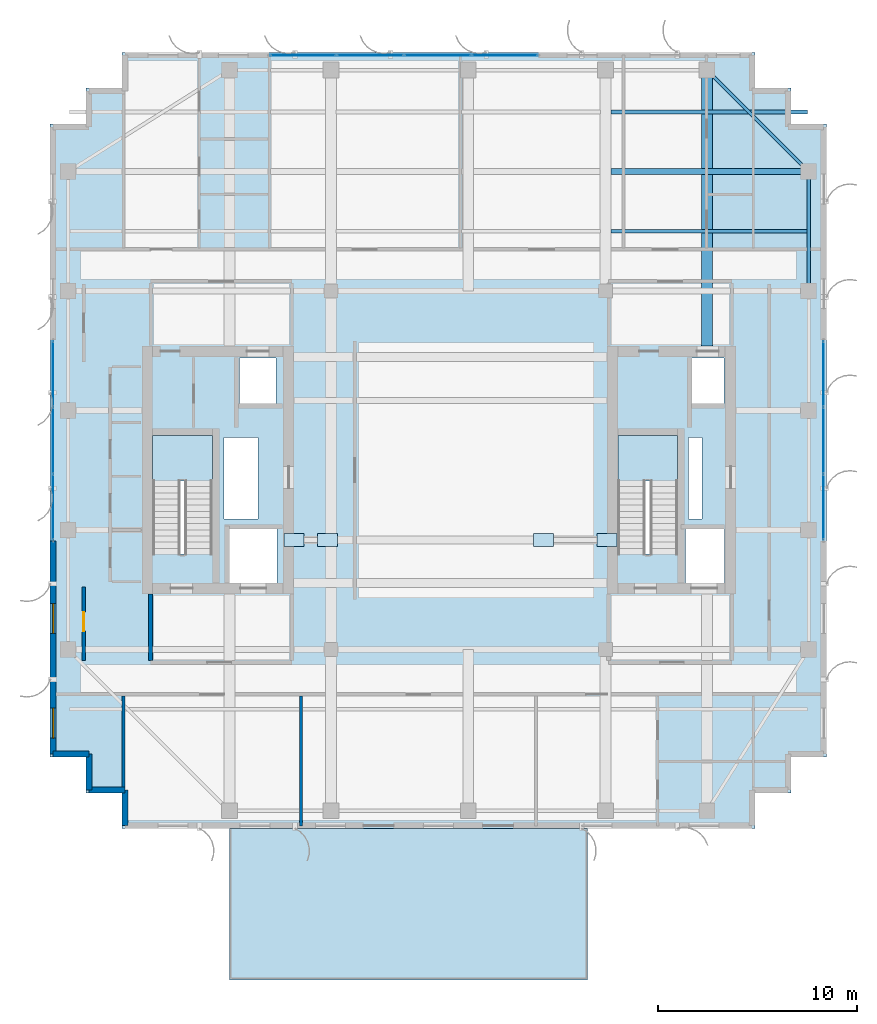
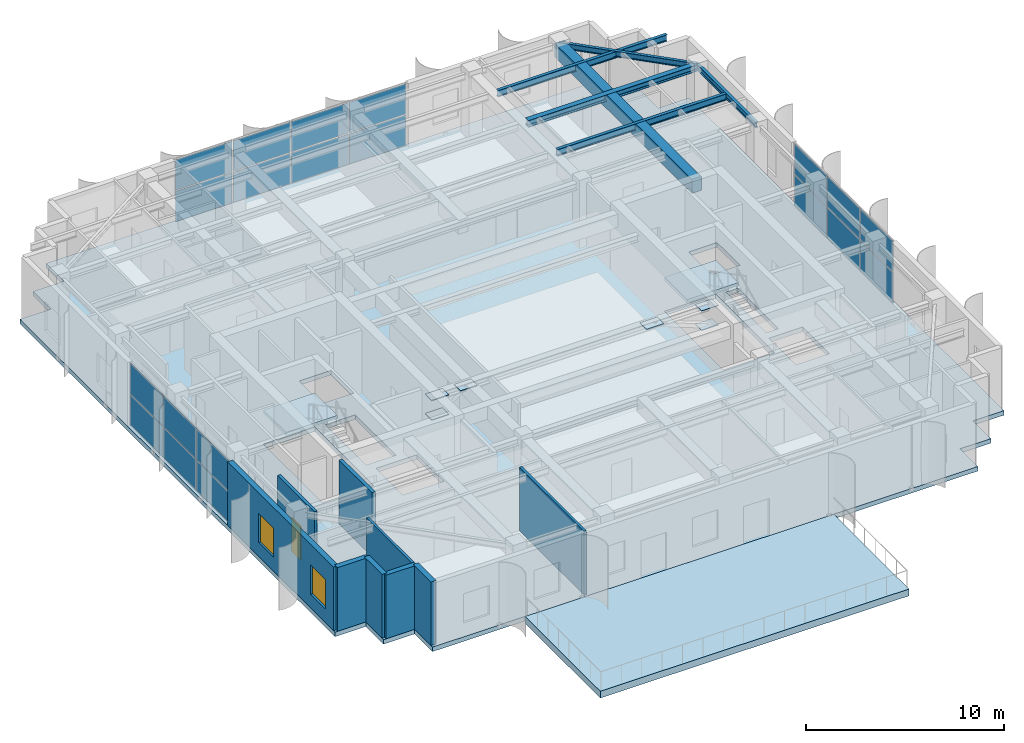
# One storey, part 12 of 19: 26 plates, 9 walls, 6 beams, 4 slabs, 2 windows, 1 door, 3 openings, 5 elements without a shape of their own.
"""IFC4 building model written with IfcOpenShell, lengths in metres."""

from ifc_helpers import new_model, si_unit, direction, frame, frame_2d, origin, origin_2d, place, context, subcontext, project, spatial, polyline, rectangle, i_section, outline, extrude, source, transform, mapped, material, layer, layer_set, material_profile, profile_set, type_object, element, fill, aggregate, save


model = new_model("IFC4")

# Units and contexts
model_context = context("Model", 3, precision=1e-05, world=origin(), true_north=direction((0.0, 1.0)))
body_context = subcontext(model_context, "Body", "Model", "MODEL_VIEW")
ifc_project = project(units=[si_unit("LENGTHUNIT", "METRE"), si_unit("AREAUNIT", "SQUARE_METRE"), si_unit("VOLUMEUNIT", "CUBIC_METRE"), si_unit("PLANEANGLEUNIT", "RADIAN"), si_unit("MASSUNIT", "GRAM", prefix="KILO")], contexts=[model_context])

# Site, building, storey
site_placement = place(None, origin())
site = spatial("IfcSite", under=ifc_project, at=site_placement, CompositionType="ELEMENT")
building_placement = place(site_placement, origin())
building = spatial("IfcBuilding", under=site, at=building_placement, Name="Khoralis Quay Care Tower", CompositionType="ELEMENT")
storey_placement = place(building_placement, frame((0.0, 0.0, 285.300048828125)))
storey = spatial("IfcBuildingStorey", under=building, at=storey_placement, Name="L75", CompositionType="ELEMENT", Elevation=285.300048828125)

# Beams
ifc_material_1 = material(Name="Steel S355", Category="steel")
ifc_material_profile_1 = material_profile(ifc_material_1, i_section(OverallWidth=0.169921875, OverallDepth=0.360107421875, WebThickness=0.008056640625, FlangeThickness=0.0126953125, FilletRadius=0.01806640625, at=origin_2d()), Name="Steel S355")
ifc_profile_set_1 = profile_set([ifc_material_profile_1], Name="Steel S355")
beam_type_1 = type_object("IfcBeamType", Name="BM-IPE360", PredefinedType="SPANDREL", material=ifc_profile_set_1)
shared_shape_1 = source(origin(), body_context, "Body", "SweptSolid", [
    extrude(i_section(OverallWidth=0.169921875, OverallDepth=0.360107421875, WebThickness=0.008056640625, FlangeThickness=0.0126953125, FilletRadius=0.01806640625, at=origin_2d()), origin(), (0.0, 0.0, 1.0), 6.0),
])
beam_1_placement = place(storey_placement, frame((41.10009765625, 30.0, 3.739990234375), z_axis=(0.0, 1.0, 0.0), x_axis=(-1.0, 0.0, 0.0)))
element("IfcBeam", 1, at=beam_1_placement, inside=storey, type_object=beam_type_1, Name="BM-TSP-L75-16", PredefinedType="SPANDREL", context=body_context, shape_type="MappedRepresentation", body=[
    mapped(shared_shape_1, transform((0.0, 0.0, 0.0), scale=1.0)),
])
shared_shape_2 = source(origin(), body_context, "Body", "SweptSolid", [
    extrude(i_section(OverallWidth=0.169921875, OverallDepth=0.360107421875, WebThickness=0.008056640625, FlangeThickness=0.0126953125, FilletRadius=0.01806640625, at=origin_2d()), origin(), (0.0, 0.0, 1.0), 7.212646484375),
])
beam_2_placement = place(storey_placement, frame((36.0, 41.10009765625, 3.739990234375), z_axis=(0.707106781187, -0.707106781187, 0.0), x_axis=(0.707106781187, 0.707106781187, 0.0)))
element("IfcBeam", 2, at=beam_2_placement, inside=storey, type_object=beam_type_1, Name="BM-TCR-L75-20", PredefinedType="SPANDREL", context=body_context, shape_type="MappedRepresentation", body=[
    mapped(shared_shape_2, transform((0.0, 0.0, 0.0), scale=1.0)),
])
ifc_material_profile_2 = material_profile(ifc_material_1, i_section(OverallWidth=0.300048828125, OverallDepth=0.39990234375, WebThickness=0.013427734375, FlangeThickness=0.02392578125, FilletRadius=0.027099609375, at=origin_2d()), Name="Steel S355")
ifc_profile_set_2 = profile_set([ifc_material_profile_2], Name="Steel S355")
beam_type_2 = type_object("IfcBeamType", Name="BM-HEB400", PredefinedType="BEAM", material=ifc_profile_set_2)
shared_shape_3 = source(origin(), body_context, "Body", "SweptSolid", [
    extrude(i_section(OverallWidth=0.300048828125, OverallDepth=0.39990234375, WebThickness=0.013427734375, FlangeThickness=0.02392578125, FilletRadius=0.027099609375, at=origin_2d()), origin(), (0.0, 0.0, 1.0), 9.93701171875),
])
beam_3_placement = place(storey_placement, frame((31.1630859375, 36.0, 3.719970703125), z_axis=(1.0, 0.0, 0.0), x_axis=(0.0, 1.0, 0.0)))
element("IfcBeam", 3, at=beam_3_placement, inside=storey, type_object=beam_type_2, Name="BM-TGXE-L75-360", PredefinedType="BEAM", context=body_context, shape_type="MappedRepresentation", body=[
    mapped(shared_shape_3, transform((0.0, 0.0, 0.0), scale=1.0)),
])
ifc_material_2 = material(Name="Concrete C50/60", Category="concrete")
ifc_material_profile_3 = material_profile(ifc_material_2, rectangle(XDim=0.550048828125, YDim=0.85009765625, at=origin_2d()), Name="Concrete C50/60")
ifc_profile_set_3 = profile_set([ifc_material_profile_3], Name="Concrete C50/60")
beam_type_3 = type_object("IfcBeamType", Name="BM-RC550X850", PredefinedType="BEAM", material=ifc_profile_set_3)
shared_shape_4 = source(origin(), body_context, "Body", "SweptSolid", [
    extrude(rectangle(XDim=0.550048828125, YDim=0.85009765625, at=origin_2d()), origin(), (0.0, 0.0, 1.0), 13.85205078125),
])
beam_4_placement = place(storey_placement, frame((36.0, 27.248046875, 3.494873046875), z_axis=(0.0, 1.0, 0.0), x_axis=(-1.0, 0.0, 0.0)))
element("IfcBeam", 4, at=beam_4_placement, inside=storey, type_object=beam_type_3, Name="BM-TGYN-L75-360", PredefinedType="BEAM", context=body_context, shape_type="MappedRepresentation", body=[
    mapped(shared_shape_4, transform((0.0, 0.0, 0.0), scale=1.0)),
])
ifc_material_profile_4 = material_profile(ifc_material_1, i_section(OverallWidth=0.177978515625, OverallDepth=0.406982421875, WebThickness=0.0078125, FlangeThickness=0.0126953125, FilletRadius=0.012939453125, at=origin_2d()), Name="Steel S355")
ifc_profile_set_4 = profile_set([ifc_material_profile_4], Name="Steel S355")
beam_type_4 = type_object("IfcBeamType", Name="BM-W410X60", PredefinedType="JOIST", material=ifc_profile_set_4)
shared_shape_5 = source(origin(), body_context, "Body", "SweptSolid", [
    extrude(i_section(OverallWidth=0.177978515625, OverallDepth=0.406982421875, WebThickness=0.0078125, FlangeThickness=0.0126953125, FilletRadius=0.012939453125, at=origin_2d()), origin(), (0.0, 0.0, 1.0), 9.865966796875),
])
for number, where, z_axis, x_axis, name in (
    (5, (31.1630859375, 33.0, 3.716552734375), (1.0, 0.0, 0.0), (0.0, 1.0, 0.0), "BM-TJS-L75-25"),
    (6, (31.1630859375, 39.0, 3.716552734375), (1.0, 0.0, 0.0), (0.0, 1.0, 0.0), "BM-TJS-L75-28"),
):
    element("IfcBeam", number, at=place(storey_placement, frame(where, z_axis=z_axis, x_axis=x_axis)), inside=storey, type_object=beam_type_4, Name=name, PredefinedType="JOIST", context=body_context, shape_type="MappedRepresentation", body=[
        mapped(shared_shape_5, transform((0.0, 0.0, 0.0), scale=1.0)),
    ])

# Slab
ifc_layer_1 = layer(ifc_material_2, 0.419921875)
ifc_layer_set_1 = layer_set([ifc_layer_1], Name="Concrete C50/60")
slab_type_1 = type_object("IfcSlabType", Name="SLB-EXT-POOL-420", PredefinedType="FLOOR", material=ifc_layer_set_1)
slab_1_placement = place(storey_placement, frame((0.0, 0.0, -0.420166015625)))
element("IfcSlab", 7, at=slab_1_placement, inside=storey, type_object=slab_type_1, Name="Cantilevered Sky Pool Deck Slab S-SP1", PredefinedType="FLOOR", context=body_context, shape_type="SweptSolid", body=[
    extrude(outline(polyline([(12.0, -4.60009765625), (30.0, -4.60009765625), (30.0, 3.0), (12.0, 3.0), (12.0, -4.60009765625)])), origin(), (0.0, 0.0, 1.0), 0.420166015625),
])

# Stair, slab
ifc_material_3 = material(Name="Precast concrete C45/55", Category="concrete")
stair_type = type_object("IfcStairType", Name="ST-TWR-DOGLEG-1400", PredefinedType="HALF_TURN_STAIR", material=ifc_material_3)
stair_1_placement = place(storey_placement, origin())
stair_1 = element("IfcStair", 8, at=stair_1_placement, inside=storey, type_object=stair_type, Name="L75 West Core Exit Stair ST-T1", PredefinedType="HALF_TURN_STAIR")
ifc_layer_2 = layer(ifc_material_3, 0.199951171875)
ifc_layer_set_2 = layer_set([ifc_layer_2], Name="Precast concrete C45/55")
slab_type_2 = type_object("IfcSlabType", Name="SLB-LANDING-200", PredefinedType="LANDING", material=ifc_layer_set_2)
slab_2_placement = place(storey_placement, frame((0.0, 0.0, 1.89990234375)))
slab_2 = element("IfcSlab", 9, at=slab_2_placement, type_object=slab_type_2, Name="ST-T1 landing 1", PredefinedType="LANDING", context=body_context, shape_type="SweptSolid", body=[
    extrude(outline(polyline([(11.14990234375, 20.4599609375), (11.14990234375, 22.75), (8.14990234375, 22.75), (8.14990234375, 20.4599609375), (11.14990234375, 20.4599609375)])), origin(), (0.0, 0.0, 1.0), 0.199951171875),
])
aggregate(stair_1, [slab_2])

stair_2_placement = place(storey_placement, origin())
stair_2 = element("IfcStair", 10, at=stair_2_placement, inside=storey, type_object=stair_type, Name="L75 East Core Exit Stair ST-T2", PredefinedType="HALF_TURN_STAIR")
slab_3_placement = place(storey_placement, frame((0.0, 0.0, 1.89990234375)))
slab_3 = element("IfcSlab", 11, at=slab_3_placement, type_object=slab_type_2, Name="ST-T2 landing 1", PredefinedType="LANDING", context=body_context, shape_type="SweptSolid", body=[
    extrude(outline(polyline([(34.52001953125, 20.4599609375), (34.52001953125, 22.75), (31.52001953125, 22.75), (31.52001953125, 20.4599609375), (34.52001953125, 20.4599609375)])), origin(), (0.0, 0.0, 1.0), 0.199951171875),
])
aggregate(stair_2, [slab_3])

# Slab
ifc_material_4 = material(Name="Concrete C40/50", Category="concrete")
ifc_layer_3 = layer(ifc_material_4, 0.280029296875)
ifc_layer_set_3 = layer_set([ifc_layer_3], Name="Concrete C40/50")
slab_type_3 = type_object("IfcSlabType", Name="SLB-TWR-280", PredefinedType="FLOOR", material=ifc_layer_set_3)
slab_4_placement = place(storey_placement, frame((0.0, 0.0, -0.280029296875)))
element("IfcSlab", 12, at=slab_4_placement, inside=storey, type_object=slab_type_3, Name="Tower Floor Slab L75", PredefinedType="FLOOR", context=body_context, shape_type="SweptSolid", body=[
    extrude(outline(polyline([(6.60009765625, 3.0), (38.39990234375, 3.0), (38.39990234375, 4.800048828125), (40.199951171875, 4.800048828125), (40.199951171875, 6.60009765625), (42.0, 6.60009765625), (42.0, 38.39990234375), (40.199951171875, 38.39990234375), (40.199951171875, 40.199951171875), (38.39990234375, 40.199951171875), (38.39990234375, 42.0), (6.60009765625, 42.0), (6.60009765625, 40.199951171875), (4.800048828125, 40.199951171875), (4.800048828125, 38.39990234375), (3.0, 38.39990234375), (3.0, 6.60009765625), (4.800048828125, 6.60009765625), (4.800048828125, 4.800048828125), (6.60009765625, 4.800048828125), (6.60009765625, 3.0)]), holes=[polyline([(11.14990234375, 16.800048828125), (11.14990234375, 22.75), (8.14990234375, 22.75), (8.14990234375, 16.800048828125), (11.14990234375, 16.800048828125)]), polyline([(34.52001953125, 16.800048828125), (34.52001953125, 22.75), (31.52001953125, 22.75), (31.52001953125, 16.800048828125), (34.52001953125, 16.800048828125)]), polyline([(12.0, 15.35009765625), (14.39990234375, 15.35009765625), (14.39990234375, 18.050048828125), (12.0, 18.050048828125), (12.0, 15.35009765625)]), polyline([(34.919921875, 15.35009765625), (36.8798828125, 15.35009765625), (36.8798828125, 18.050048828125), (34.919921875, 18.050048828125), (34.919921875, 15.35009765625)]), polyline([(12.5, 24.35009765625), (14.35009765625, 24.35009765625), (14.35009765625, 26.64990234375), (12.5, 26.64990234375), (12.5, 24.35009765625)]), polyline([(35.199951171875, 24.35009765625), (36.85009765625, 24.35009765625), (36.85009765625, 26.64990234375), (35.199951171875, 26.64990234375), (35.199951171875, 24.35009765625)]), polyline([(11.719970703125, 18.550048828125), (13.449951171875, 18.550048828125), (13.449951171875, 22.64990234375), (11.719970703125, 22.64990234375), (11.719970703125, 18.550048828125)]), polyline([(35.050048828125, 18.550048828125), (35.75, 18.550048828125), (35.75, 22.64990234375), (35.050048828125, 22.64990234375), (35.050048828125, 18.550048828125)])]), origin(), (0.0, 0.0, 1.0), 0.280029296875),
])

# Plates
ifc_material_5 = material(Name="Steel S460", Category="steel")
ifc_layer_4 = layer(ifc_material_5, 0.031982421875)
ifc_layer_set_4 = layer_set([ifc_layer_4], Name="Steel S460")
plate_type_1 = type_object("IfcPlateType", Name="PLT-NODE-VPN1", PredefinedType="USERDEFINED", material=ifc_layer_set_4)
shared_shape_6 = source(origin(), body_context, "Body", "SweptSolid", [
    extrude(rectangle(XDim=1.0, YDim=0.64990234375, at=origin_2d()), origin(), (0.0, 0.0, 1.0), 0.031982421875),
])
for number, where, z_axis, x_axis, name in (
    (13, (15.248046875, 17.5, 2.5341796875), (0.0, 0.0, 1.0), (1.0, 0.0, 0.0), "PLT-SP75-N1"),
    (14, (15.248046875, 17.5, 3.73388671875), (0.0, 0.0, 1.0), (1.0, 0.0, 0.0), "PLT-SP75-N2"),
    (15, (16.919921875, 17.5, 3.73388671875), (0.0, 0.0, 1.0), (1.0, 0.0, 0.0), "PLT-SP75-N3"),
    (16, (27.77197265625, 17.5, 3.73388671875), (0.0, 0.0, 1.0), (1.0, 0.0, 0.0), "PLT-SP75-N4"),
    (17, (30.971923828125, 17.5, 2.5341796875), (0.0, 0.0, 1.0), (1.0, 0.0, 0.0), "PLT-SP75-N5"),
    (18, (30.971923828125, 17.5, 3.73388671875), (0.0, 0.0, 1.0), (1.0, 0.0, 0.0), "PLT-SP75-N6"),
):
    element("IfcPlate", number, at=place(storey_placement, frame(where, z_axis=z_axis, x_axis=x_axis)), inside=storey, type_object=plate_type_1, Name=name, ObjectType="GUSSET_PLATE", PredefinedType="USERDEFINED", context=body_context, shape_type="MappedRepresentation", body=[
        mapped(shared_shape_6, transform((0.0, 0.0, 0.0), scale=1.0)),
    ])

# Curtain wall, plates
ifc_material_6 = material(Name="Pale anodised aluminium", Category="aluminium")
ifc_layer_5 = layer(ifc_material_6, 0.159912109375)
ifc_layer_set_5 = layer_set([ifc_layer_5], Name="Pale anodised aluminium")
curtain_wall_type = type_object("IfcCurtainWallType", Name="CW-SYS-Z3", PredefinedType="NOTDEFINED", material=ifc_layer_set_5)
curtain_wall_1_placement = place(storey_placement, origin())
curtain_wall_1 = element("IfcCurtainWall", 19, at=curtain_wall_1_placement, inside=storey, type_object=curtain_wall_type, Name="L75 Unitised Curtain Wall CW-L75-P1-E5", PredefinedType="NOTDEFINED")
ifc_material_7 = material(Name="Low-E solar-control double glazing", Category="glass")
ifc_layer_6 = layer(ifc_material_7, 0.031982421875)
ifc_layer_set_6 = layer_set([ifc_layer_6], Name="Low-E solar-control double glazing")
plate_type_2 = type_object("IfcPlateType", Name="PNL-VIS-32", PredefinedType="CURTAIN_PANEL", material=ifc_layer_set_6)
shared_shape_7 = source(origin(), body_context, "Body", "SweptSolid", [
    extrude(rectangle(XDim=3.27001953125, YDim=0.028076171875, at=origin_2d()), origin(), (0.0, 0.0, 1.0), 1.8701171875),
])
plate_1_placement = place(storey_placement, frame((41.85009765625, 19.155029296875, 0.059814453125), z_axis=(0.0, 0.0, 1.0), x_axis=(0.0, 1.0, 0.0)))
plate_1 = element("IfcPlate", 20, at=plate_1_placement, type_object=plate_type_2, Name="CW3 panel 1.1", PredefinedType="CURTAIN_PANEL", context=body_context, shape_type="MappedRepresentation", body=[
    mapped(shared_shape_7, transform((0.0, 0.0, 0.0), scale=1.0)),
])
plate_2_placement = place(storey_placement, frame((41.85009765625, 19.155029296875, 1.989990234375), z_axis=(0.0, 0.0, 1.0), x_axis=(0.0, 1.0, 0.0)))
plate_2 = element("IfcPlate", 21, at=plate_2_placement, type_object=plate_type_2, Name="CW3 panel 1.2", PredefinedType="CURTAIN_PANEL", context=body_context, shape_type="MappedRepresentation", body=[
    mapped(shared_shape_7, transform((0.0, 0.0, 0.0), scale=1.0)),
])
plate_3_placement = place(storey_placement, frame((41.85009765625, 25.844970703125, 0.059814453125), z_axis=(0.0, 0.0, 1.0), x_axis=(0.0, 1.0, 0.0)))
plate_3 = element("IfcPlate", 22, at=plate_3_placement, type_object=plate_type_2, Name="CW3 panel 3.1", PredefinedType="CURTAIN_PANEL", context=body_context, shape_type="MappedRepresentation", body=[
    mapped(shared_shape_7, transform((0.0, 0.0, 0.0), scale=1.0)),
])
plate_4_placement = place(storey_placement, frame((41.85009765625, 25.844970703125, 1.989990234375), z_axis=(0.0, 0.0, 1.0), x_axis=(0.0, 1.0, 0.0)))
plate_4 = element("IfcPlate", 23, at=plate_4_placement, type_object=plate_type_2, Name="CW3 panel 3.2", PredefinedType="CURTAIN_PANEL", context=body_context, shape_type="MappedRepresentation", body=[
    mapped(shared_shape_7, transform((0.0, 0.0, 0.0), scale=1.0)),
])

curtain_wall_2_placement = place(storey_placement, origin())
curtain_wall_2 = element("IfcCurtainWall", 24, at=curtain_wall_2_placement, inside=storey, type_object=curtain_wall_type, Name="L75 Unitised Curtain Wall CW-L75-P1-E15", PredefinedType="NOTDEFINED")
plate_5_placement = place(storey_placement, frame((3.14990234375, 25.844970703125, 0.059814453125), z_axis=(0.0, 0.0, 1.0), x_axis=(0.0, -1.0, 0.0)))
plate_5 = element("IfcPlate", 25, at=plate_5_placement, type_object=plate_type_2, Name="CW3 panel 1.1", PredefinedType="CURTAIN_PANEL", context=body_context, shape_type="MappedRepresentation", body=[
    mapped(shared_shape_7, transform((0.0, 0.0, 0.0), scale=1.0)),
])
plate_6_placement = place(storey_placement, frame((3.14990234375, 25.844970703125, 1.989990234375), z_axis=(0.0, 0.0, 1.0), x_axis=(0.0, -1.0, 0.0)))
plate_6 = element("IfcPlate", 26, at=plate_6_placement, type_object=plate_type_2, Name="CW3 panel 1.2", PredefinedType="CURTAIN_PANEL", context=body_context, shape_type="MappedRepresentation", body=[
    mapped(shared_shape_7, transform((0.0, 0.0, 0.0), scale=1.0)),
])
plate_7_placement = place(storey_placement, frame((3.14990234375, 19.155029296875, 0.059814453125), z_axis=(0.0, 0.0, 1.0), x_axis=(0.0, -1.0, 0.0)))
plate_7 = element("IfcPlate", 27, at=plate_7_placement, type_object=plate_type_2, Name="CW3 panel 3.1", PredefinedType="CURTAIN_PANEL", context=body_context, shape_type="MappedRepresentation", body=[
    mapped(shared_shape_7, transform((0.0, 0.0, 0.0), scale=1.0)),
])
plate_8_placement = place(storey_placement, frame((3.14990234375, 19.155029296875, 1.989990234375), z_axis=(0.0, 0.0, 1.0), x_axis=(0.0, -1.0, 0.0)))
plate_8 = element("IfcPlate", 28, at=plate_8_placement, type_object=plate_type_2, Name="CW3 panel 3.2", PredefinedType="CURTAIN_PANEL", context=body_context, shape_type="MappedRepresentation", body=[
    mapped(shared_shape_7, transform((0.0, 0.0, 0.0), scale=1.0)),
])

# Plate
shared_shape_8 = source(origin(), body_context, "Body", "SweptSolid", [
    extrude(rectangle(XDim=3.300048828125, YDim=0.028076171875, at=origin_2d()), origin(), (0.0, 0.0, 1.0), 1.8701171875),
])
plate_9_placement = place(storey_placement, frame((41.85009765625, 22.5, 0.059814453125), z_axis=(0.0, 0.0, 1.0), x_axis=(0.0, 1.0, 0.0)))
plate_9 = element("IfcPlate", 29, at=plate_9_placement, type_object=plate_type_2, Name="CW3 panel 2.1", PredefinedType="CURTAIN_PANEL", context=body_context, shape_type="MappedRepresentation", body=[
    mapped(shared_shape_8, transform((0.0, 0.0, 0.0), scale=1.0)),
])

plate_10_placement = place(storey_placement, frame((41.85009765625, 22.5, 1.989990234375), z_axis=(0.0, 0.0, 1.0), x_axis=(0.0, 1.0, 0.0)))
plate_10 = element("IfcPlate", 30, at=plate_10_placement, type_object=plate_type_2, Name="CW3 panel 2.2", PredefinedType="CURTAIN_PANEL", context=body_context, shape_type="MappedRepresentation", body=[
    mapped(shared_shape_8, transform((0.0, 0.0, 0.0), scale=1.0)),
])

aggregate(curtain_wall_1, [plate_1, plate_2, plate_9, plate_10, plate_3, plate_4])

plate_11_placement = place(storey_placement, frame((3.14990234375, 22.5, 0.059814453125), z_axis=(0.0, 0.0, 1.0), x_axis=(0.0, -1.0, 0.0)))
plate_11 = element("IfcPlate", 31, at=plate_11_placement, type_object=plate_type_2, Name="CW3 panel 2.1", PredefinedType="CURTAIN_PANEL", context=body_context, shape_type="MappedRepresentation", body=[
    mapped(shared_shape_8, transform((0.0, 0.0, 0.0), scale=1.0)),
])

plate_12_placement = place(storey_placement, frame((3.14990234375, 22.5, 1.989990234375), z_axis=(0.0, 0.0, 1.0), x_axis=(0.0, -1.0, 0.0)))
plate_12 = element("IfcPlate", 32, at=plate_12_placement, type_object=plate_type_2, Name="CW3 panel 2.2", PredefinedType="CURTAIN_PANEL", context=body_context, shape_type="MappedRepresentation", body=[
    mapped(shared_shape_8, transform((0.0, 0.0, 0.0), scale=1.0)),
])

aggregate(curtain_wall_2, [plate_5, plate_6, plate_11, plate_12, plate_7, plate_8])

# Curtain wall, plates
curtain_wall_3_placement = place(storey_placement, origin())
curtain_wall_3 = element("IfcCurtainWall", 33, at=curtain_wall_3_placement, inside=storey, type_object=curtain_wall_type, Name="L75 Unitised Curtain Wall CW-L75-P1-E10", PredefinedType="NOTDEFINED")
shared_shape_9 = source(origin(), body_context, "Body", "SweptSolid", [
    extrude(rectangle(XDim=3.294921875, YDim=0.028076171875, at=origin_2d()), origin(), (0.0, 0.0, 1.0), 1.8701171875),
])
plate_13_placement = place(storey_placement, frame((25.83251953125, 41.85009765625, 0.059814453125), z_axis=(0.0, 0.0, 1.0), x_axis=(-1.0, 0.0, 0.0)))
plate_13 = element("IfcPlate", 34, at=plate_13_placement, type_object=plate_type_2, Name="CW3 panel 1.1", PredefinedType="CURTAIN_PANEL", context=body_context, shape_type="MappedRepresentation", body=[
    mapped(shared_shape_9, transform((0.0, 0.0, 0.0), scale=1.0)),
])
plate_14_placement = place(storey_placement, frame((25.83251953125, 41.85009765625, 1.989990234375), z_axis=(0.0, 0.0, 1.0), x_axis=(-1.0, 0.0, 0.0)))
plate_14 = element("IfcPlate", 35, at=plate_14_placement, type_object=plate_type_2, Name="CW3 panel 1.2", PredefinedType="CURTAIN_PANEL", context=body_context, shape_type="MappedRepresentation", body=[
    mapped(shared_shape_9, transform((0.0, 0.0, 0.0), scale=1.0)),
])
plate_15_placement = place(storey_placement, frame((15.70751953125, 41.85009765625, 0.059814453125), z_axis=(0.0, 0.0, 1.0), x_axis=(-1.0, 0.0, 0.0)))
plate_15 = element("IfcPlate", 36, at=plate_15_placement, type_object=plate_type_2, Name="CW3 panel 4.1", PredefinedType="CURTAIN_PANEL", context=body_context, shape_type="MappedRepresentation", body=[
    mapped(shared_shape_9, transform((0.0, 0.0, 0.0), scale=1.0)),
])
plate_16_placement = place(storey_placement, frame((15.70751953125, 41.85009765625, 1.989990234375), z_axis=(0.0, 0.0, 1.0), x_axis=(-1.0, 0.0, 0.0)))
plate_16 = element("IfcPlate", 37, at=plate_16_placement, type_object=plate_type_2, Name="CW3 panel 4.2", PredefinedType="CURTAIN_PANEL", context=body_context, shape_type="MappedRepresentation", body=[
    mapped(shared_shape_9, transform((0.0, 0.0, 0.0), scale=1.0)),
])
shared_shape_10 = source(origin(), body_context, "Body", "SweptSolid", [
    extrude(rectangle(XDim=3.324951171875, YDim=0.028076171875, at=origin_2d()), origin(), (0.0, 0.0, 1.0), 1.8701171875),
])
plate_17_placement = place(storey_placement, frame((22.46240234375, 41.85009765625, 0.059814453125), z_axis=(0.0, 0.0, 1.0), x_axis=(-1.0, 0.0, 0.0)))
plate_17 = element("IfcPlate", 38, at=plate_17_placement, type_object=plate_type_2, Name="CW3 panel 2.1", PredefinedType="CURTAIN_PANEL", context=body_context, shape_type="MappedRepresentation", body=[
    mapped(shared_shape_10, transform((0.0, 0.0, 0.0), scale=1.0)),
])
plate_18_placement = place(storey_placement, frame((22.46240234375, 41.85009765625, 1.989990234375), z_axis=(0.0, 0.0, 1.0), x_axis=(-1.0, 0.0, 0.0)))
plate_18 = element("IfcPlate", 39, at=plate_18_placement, type_object=plate_type_2, Name="CW3 panel 2.2", PredefinedType="CURTAIN_PANEL", context=body_context, shape_type="MappedRepresentation", body=[
    mapped(shared_shape_10, transform((0.0, 0.0, 0.0), scale=1.0)),
])
plate_19_placement = place(storey_placement, frame((19.077392578125, 41.85009765625, 0.059814453125), z_axis=(0.0, 0.0, 1.0), x_axis=(-1.0, 0.0, 0.0)))
plate_19 = element("IfcPlate", 40, at=plate_19_placement, type_object=plate_type_2, Name="CW3 panel 3.1", PredefinedType="CURTAIN_PANEL", context=body_context, shape_type="MappedRepresentation", body=[
    mapped(shared_shape_10, transform((0.0, 0.0, 0.0), scale=1.0)),
])
plate_20_placement = place(storey_placement, frame((19.077392578125, 41.85009765625, 1.989990234375), z_axis=(0.0, 0.0, 1.0), x_axis=(-1.0, 0.0, 0.0)))
plate_20 = element("IfcPlate", 41, at=plate_20_placement, type_object=plate_type_2, Name="CW3 panel 3.2", PredefinedType="CURTAIN_PANEL", context=body_context, shape_type="MappedRepresentation", body=[
    mapped(shared_shape_10, transform((0.0, 0.0, 0.0), scale=1.0)),
])
aggregate(curtain_wall_3, [plate_13, plate_14, plate_17, plate_18, plate_19, plate_20, plate_15, plate_16])

# Wall
ifc_material_8 = material(Name="Gypsum plasterboard on acoustic metal stud")
ifc_layer_7 = layer(ifc_material_8, 0.199951171875)
ifc_layer_set_7 = layer_set([ifc_layer_7], Name="Gypsum plasterboard on acoustic metal stud")
wall_type_1 = type_object("IfcWallType", Name="WL-COMP-200", PredefinedType="PARTITIONING", material=ifc_layer_set_7)
wall_1_placement = place(storey_placement, frame((8.050048828125, 11.445068359375, 0.0), z_axis=(0.0, 0.0, 1.0), x_axis=(0.0, 1.0, 0.0)))
element("IfcWall", 42, at=wall_1_placement, inside=storey, type_object=wall_type_1, Name="L75 West Firefighting Lobby West Wall", PredefinedType="PARTITIONING", context=body_context, shape_type="SweptSolid", body=[
    extrude(rectangle(XDim=3.3349609375, YDim=0.199951171875, at=frame_2d((1.66748046875, 0.0))), origin(), (0.0, 0.0, 1.0), 3.919921875),
])

# Wall, opening, door
ifc_layer_8 = layer(ifc_material_8, 0.1650390625)
ifc_layer_set_8 = layer_set([ifc_layer_8], Name="Gypsum plasterboard on acoustic metal stud")
wall_type_2 = type_object("IfcWallType", Name="WL-CORR-165", PredefinedType="PARTITIONING", material=ifc_layer_set_8)
wall_2_placement = place(storey_placement, frame((4.679931640625, 11.449951171875, 0.0), z_axis=(0.0, 0.0, 1.0), x_axis=(0.0, 1.0, 0.0)))
wall_2 = element("IfcWall", 43, at=wall_2_placement, inside=storey, type_object=wall_type_2, Name="L75 West Sky Lounge South Wall", PredefinedType="PARTITIONING", context=body_context, shape_type="SweptSolid", body=[
    extrude(rectangle(XDim=3.699951171875, YDim=0.1650390625, at=frame_2d((1.85009765625, 0.0))), origin(), (0.0, 0.0, 1.0), 3.919921875),
])
opening_1_placement = place(wall_2_placement, frame((1.47509765625, 0.0, 0.0)))
opening_1 = element("IfcOpeningElement", 44, at=opening_1_placement, cuts=wall_2, Name="Opening ID1", PredefinedType="OPENING", context=body_context, shape_type="SweptSolid", body=[
    extrude(rectangle(XDim=0.949951171875, YDim=2.10009765625, at=frame_2d((0.47509765625, 1.050048828125))), frame((0.0, 0.092529296875, 0.0), z_axis=(0.0, -1.0, 0.0), x_axis=(1.0, 0.0, 0.0)), (0.0, 0.0, 1.0), 0.18505859375),
])
ifc_material_9 = material(Name="Acoustic hardwood timber", Category="wood")
door_type = type_object("IfcDoorType", Name="DR-ROOM-950X2100", OperationType="NOTDEFINED", PredefinedType="DOOR", material=ifc_material_9)
shared_shape_11 = source(origin(), body_context, "Body", "SweptSolid", [
    extrude(rectangle(XDim=0.949951171875, YDim=2.10009765625, at=frame_2d((0.47509765625, 1.050048828125))), frame((0.0, 0.02490234375, 0.0), z_axis=(0.0, -1.0, 0.0), x_axis=(1.0, 0.0, 0.0)), (0.0, 0.0, 1.0), 0.050048828125),
])
door_placement = place(opening_1_placement, frame((0.949951171875, 0.0, 0.0), z_axis=(0.0, 0.0, 1.0), x_axis=(-1.0, 0.0, 0.0)))
door = element("IfcDoor", 45, at=door_placement, inside=storey, type_object=door_type, Name="L75 West Sky Lounge Door", OperationType="SINGLE_SWING_LEFT", OverallHeight=2.10009765625, OverallWidth=0.949951171875, PredefinedType="DOOR", context=body_context, shape_type="MappedRepresentation", body=[
    mapped(shared_shape_11, transform((0.0, 0.0, 0.0), scale=1.0)),
])
fill(opening_1, door)

# Wall, openings, windows
ifc_layer_9 = layer(ifc_material_3, 0.300048828125)
ifc_layer_set_9 = layer_set([ifc_layer_9], Name="Precast concrete C45/55")
wall_type_3 = type_object("IfcWallType", Name="WL-EXT-REF-300", PredefinedType="SOLIDWALL", material=ifc_layer_set_9)
wall_3_placement = place(storey_placement, frame((3.14990234375, 17.4599609375, 0.0), z_axis=(0.0, 0.0, 1.0), x_axis=(0.0, -1.0, 0.0)))
wall_3 = element("IfcWall", 46, at=wall_3_placement, inside=storey, type_object=wall_type_3, Name="L75 External Facade Wall WL-EXT-L75-P1-E15B", PredefinedType="SOLIDWALL", context=body_context, shape_type="SweptSolid", body=[
    extrude(rectangle(XDim=10.7099609375, YDim=0.300048828125, at=frame_2d((5.35498046875, 0.0))), origin(), (0.0, 0.0, 1.0), 3.919921875),
])
opening_2_placement = place(wall_3_placement, frame((3.155029296875, 0.0, 0.85009765625)))
opening_2 = element("IfcOpeningElement", 47, at=opening_2_placement, cuts=wall_3, Name="Opening W3", PredefinedType="OPENING", context=body_context, shape_type="SweptSolid", body=[
    extrude(rectangle(XDim=1.5, YDim=1.800048828125, at=frame_2d((0.75, 0.89990234375))), frame((0.0, 0.16015625, 0.0), z_axis=(0.0, -1.0, 0.0), x_axis=(1.0, 0.0, 0.0)), (0.0, 0.0, 1.0), 0.320068359375),
])
opening_3_placement = place(wall_3_placement, frame((8.409912109375, 0.0, 0.85009765625)))
opening_3 = element("IfcOpeningElement", 48, at=opening_3_placement, cuts=wall_3, Name="Opening W3", PredefinedType="OPENING", context=body_context, shape_type="SweptSolid", body=[
    extrude(rectangle(XDim=1.5, YDim=1.800048828125, at=frame_2d((0.75, 0.89990234375))), frame((0.0, 0.16015625, 0.0), z_axis=(0.0, -1.0, 0.0), x_axis=(1.0, 0.0, 0.0)), (0.0, 0.0, 1.0), 0.320068359375),
])
window_type = type_object("IfcWindowType", Name="WN-CLIN-1500X1800", PartitioningType="SINGLE_PANEL", PredefinedType="WINDOW", material=ifc_material_7)
shared_shape_12 = source(origin(), body_context, "Body", "SweptSolid", [
    extrude(rectangle(XDim=1.5, YDim=1.800048828125, at=frame_2d((0.75, 0.89990234375))), frame((0.0, 0.030029296875, 0.0), z_axis=(0.0, -1.0, 0.0), x_axis=(1.0, 0.0, 0.0)), (0.0, 0.0, 1.0), 0.06005859375),
])
window_1_placement = place(opening_2_placement, origin())
window_1 = element("IfcWindow", 49, at=window_1_placement, inside=storey, type_object=window_type, Name="WN-L75-P1-E15B Facade Window 01", OverallHeight=1.800048828125, OverallWidth=1.5, PartitioningType="SINGLE_PANEL", PredefinedType="WINDOW", context=body_context, shape_type="MappedRepresentation", body=[
    mapped(shared_shape_12, transform((0.0, 0.0, 0.0), scale=1.0)),
])
fill(opening_2, window_1)
window_2_placement = place(opening_3_placement, origin())
window_2 = element("IfcWindow", 50, at=window_2_placement, inside=storey, type_object=window_type, Name="WN-L75-P1-E15B Facade Window 02", OverallHeight=1.800048828125, OverallWidth=1.5, PartitioningType="SINGLE_PANEL", PredefinedType="WINDOW", context=body_context, shape_type="MappedRepresentation", body=[
    mapped(shared_shape_12, transform((0.0, 0.0, 0.0), scale=1.0)),
])
fill(opening_3, window_2)

# Walls
for number, where, z_axis, x_axis, name in (
    (51, (3.14990234375, 6.75, 0.0), (0.0, 0.0, 1.0), (1.0, 0.0, 0.0), "L75 External Facade Wall WL-EXT-L75-P1-C16"),
    (52, (4.949951171875, 6.75, 0.0), (0.0, 0.0, 1.0), (0.0, -1.0, 0.0), "L75 External Facade Wall WL-EXT-L75-P1-C17"),
    (53, (4.949951171875, 4.949951171875, 0.0), (0.0, 0.0, 1.0), (1.0, 0.0, 0.0), "L75 External Facade Wall WL-EXT-L75-P1-C18"),
    (54, (6.75, 4.949951171875, 0.0), (0.0, 0.0, 1.0), (0.0, -1.0, 0.0), "L75 External Facade Wall WL-EXT-L75-P1-C19"),
):
    element("IfcWall", number, at=place(storey_placement, frame(where, z_axis=z_axis, x_axis=x_axis)), inside=storey, type_object=wall_type_3, Name=name, PredefinedType="SOLIDWALL", context=body_context, shape_type="SweptSolid", body=[
        extrude(rectangle(XDim=1.800048828125, YDim=0.300048828125, at=frame_2d((0.89990234375, 0.0))), origin(), (0.0, 0.0, 1.0), 3.919921875),
    ])
ifc_layer_10 = layer(ifc_material_8, 0.139892578125)
ifc_layer_set_10 = layer_set([ifc_layer_10], Name="Gypsum plasterboard on acoustic metal stud")
wall_type_4 = type_object("IfcWallType", Name="WL-UNIT-140", PredefinedType="PARTITIONING", material=ifc_layer_set_10)
wall_4_placement = place(storey_placement, frame((6.679931640625, 4.945068359375, 0.0), z_axis=(0.0, 0.0, 1.0), x_axis=(0.0, 1.0, 0.0)))
element("IfcWall", 55, at=wall_4_placement, inside=storey, type_object=wall_type_4, Name="L75 SB Demising Wall 0", PredefinedType="PARTITIONING", context=body_context, shape_type="SweptSolid", body=[
    extrude(rectangle(XDim=4.7275390625, YDim=0.139892578125, at=frame_2d((2.36376953125, 0.0))), origin(), (0.0, 0.0, 1.0), 3.919921875),
])
wall_5_placement = place(storey_placement, frame((15.60009765625, 3.14501953125, 0.0), z_axis=(0.0, 0.0, 1.0), x_axis=(0.0, 1.0, 0.0)))
element("IfcWall", 56, at=wall_5_placement, inside=storey, type_object=wall_type_4, Name="L75 SB Demising Wall 1", PredefinedType="PARTITIONING", context=body_context, shape_type="SweptSolid", body=[
    extrude(rectangle(XDim=6.527587890625, YDim=0.139892578125, at=frame_2d((3.263671875, 0.0))), origin(), (0.0, 0.0, 1.0), 3.919921875),
])

save(model, "model.ifc")
